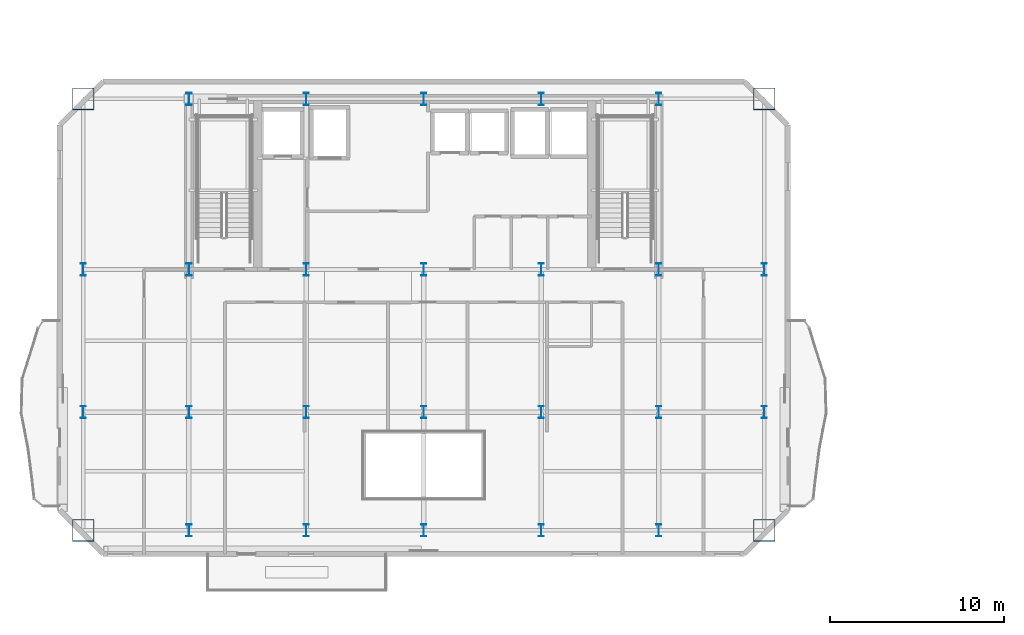
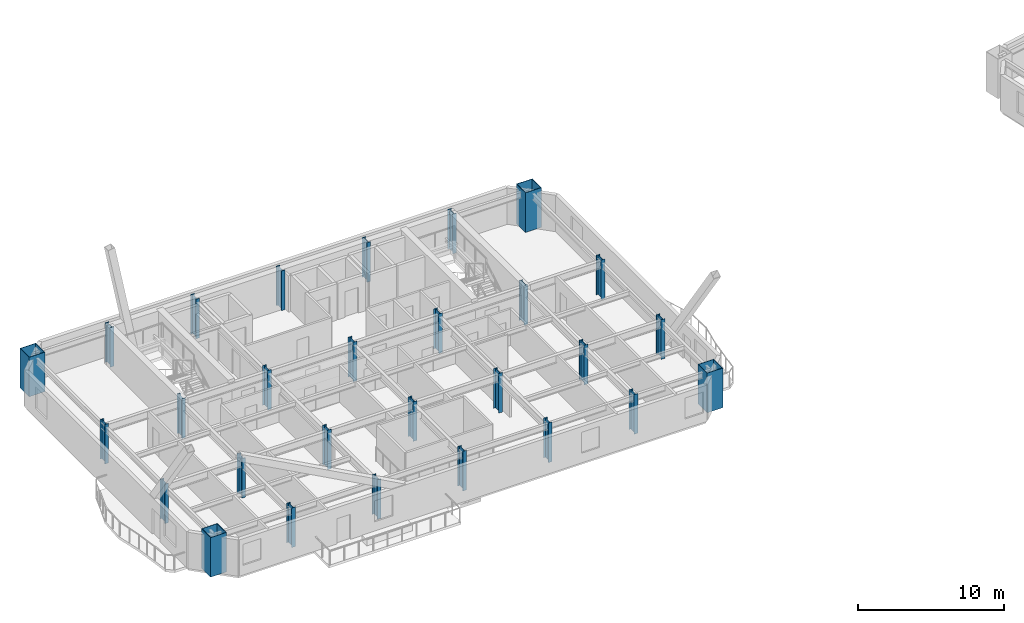
# One storey, part 1 of 13: 28 columns.
"""IFC4 building model written with IfcOpenShell, lengths in metres."""

from ifc_helpers import new_model, si_unit, direction, frame, origin, origin_2d, place, context, subcontext, project, spatial, hollow_rectangle, i_section, extrude, material, material_profile, profile_set, type_object, element, save


model = new_model("IFC4")

# Units and contexts
model_context = context("Model", 3, precision=1e-05, world=origin(), true_north=direction((0.0, 1.0)))
body_context = subcontext(model_context, "Body", "Model", "MODEL_VIEW")
ifc_project = project(units=[si_unit("LENGTHUNIT", "METRE"), si_unit("AREAUNIT", "SQUARE_METRE"), si_unit("VOLUMEUNIT", "CUBIC_METRE"), si_unit("PLANEANGLEUNIT", "RADIAN"), si_unit("MASSUNIT", "GRAM", prefix="KILO")], contexts=[model_context])

# Site, building, storey
site_placement = place(None, origin())
site = spatial("IfcSite", under=ifc_project, at=site_placement, CompositionType="ELEMENT")
building_placement = place(site_placement, origin())
building = spatial("IfcBuilding", under=site, at=building_placement, Name="Haevon Station Towers", CompositionType="ELEMENT")
storey_placement = place(building_placement, frame((0.0, 0.0, 165.89990234375)))
storey = spatial("IfcBuildingStorey", under=building, at=storey_placement, Name="L45", CompositionType="ELEMENT", Elevation=165.89990234375)

# Columns
ifc_material_1 = material(Name="Steel S460", Category="steel")
ifc_material_profile_1 = material_profile(ifc_material_1, hollow_rectangle(XDim=1.25, YDim=1.25, WallThickness=0.034912109375, at=origin_2d()), Name="BOX-1250x1250x35")
ifc_profile_set_1 = profile_set([ifc_material_profile_1], Name="Steel S460")
column_type_1 = type_object("IfcColumnType", Name="COL-MC4", PredefinedType="COLUMN", material=ifc_profile_set_1)
for number, where, z_axis, x_axis, name in (
    (1, (17.925048828125, 23.199951171875, 0.0), (0.0, 0.0, 1.0), (1.0, 0.0, 0.0), "COL-T1-L45-01-01"),
    (2, (17.925048828125, 48.0, 0.0), (0.0, 0.0, 1.0), (1.0, 0.0, 0.0), "COL-T1-L45-01-04"),
    (3, (57.074951171875, 23.199951171875, 0.0), (0.0, 0.0, 1.0), (1.0, 0.0, 0.0), "COL-T1-L45-07-01"),
    (4, (57.074951171875, 48.0, 0.0), (0.0, 0.0, 1.0), (1.0, 0.0, 0.0), "COL-T1-L45-07-04"),
):
    element("IfcColumn", number, at=place(storey_placement, frame(where, z_axis=z_axis, x_axis=x_axis)), inside=storey, type_object=column_type_1, Name=name, PredefinedType="COLUMN", context=body_context, shape_type="SweptSolid", body=[
        extrude(hollow_rectangle(XDim=1.25, YDim=1.25, WallThickness=0.034912109375, at=origin_2d()), origin(), (0.0, 0.0, 1.0), 3.300048828125),
    ])
ifc_material_2 = material(Name="Steel S355", Category="steel")
ifc_material_profile_2 = material_profile(ifc_material_2, i_section(OverallWidth=0.300048828125, OverallDepth=0.699951171875, WebThickness=0.01611328125, FlangeThickness=0.028076171875, at=origin_2d()), Name="H-700x300x16x28")
ifc_profile_set_2 = profile_set([ifc_material_profile_2], Name="Steel S355")
column_type_2 = type_object("IfcColumnType", Name="COL-TW3", PredefinedType="COLUMN", material=ifc_profile_set_2)
for number, where, z_axis, x_axis, name in (
    (5, (17.925048828125, 30.0, 0.0), (0.0, 0.0, 1.0), (1.0, 0.0, 0.0), "COL-T1-L45-01-02"),
    (6, (17.925048828125, 38.199951171875, 0.0), (0.0, 0.0, 1.0), (1.0, 0.0, 0.0), "COL-T1-L45-01-03"),
    (7, (24.0, 23.199951171875, 0.0), (0.0, 0.0, 1.0), (1.0, 0.0, 0.0), "COL-T1-L45-02-01"),
    (8, (24.0, 30.0, 0.0), (0.0, 0.0, 1.0), (1.0, 0.0, 0.0), "COL-T1-L45-02-02"),
    (9, (24.0, 38.199951171875, 0.0), (0.0, 0.0, 1.0), (1.0, 0.0, 0.0), "COL-T1-L45-02-03"),
    (10, (24.0, 48.0, 0.0), (0.0, 0.0, 1.0), (1.0, 0.0, 0.0), "COL-T1-L45-02-04"),
    (11, (30.75, 23.199951171875, 0.0), (0.0, 0.0, 1.0), (1.0, 0.0, 0.0), "COL-T1-L45-03-01"),
    (12, (30.75, 30.0, 0.0), (0.0, 0.0, 1.0), (1.0, 0.0, 0.0), "COL-T1-L45-03-02"),
    (13, (30.75, 38.199951171875, 0.0), (0.0, 0.0, 1.0), (1.0, 0.0, 0.0), "COL-T1-L45-03-03"),
    (14, (30.75, 48.0, 0.0), (0.0, 0.0, 1.0), (1.0, 0.0, 0.0), "COL-T1-L45-03-04"),
    (15, (37.5, 23.199951171875, 0.0), (0.0, 0.0, 1.0), (1.0, 0.0, 0.0), "COL-T1-L45-04-01"),
    (16, (37.5, 30.0, 0.0), (0.0, 0.0, 1.0), (1.0, 0.0, 0.0), "COL-T1-L45-04-02"),
    (17, (37.5, 38.199951171875, 0.0), (0.0, 0.0, 1.0), (1.0, 0.0, 0.0), "COL-T1-L45-04-03"),
    (18, (37.5, 48.0, 0.0), (0.0, 0.0, 1.0), (1.0, 0.0, 0.0), "COL-T1-L45-04-04"),
    (19, (44.25, 23.199951171875, 0.0), (0.0, 0.0, 1.0), (1.0, 0.0, 0.0), "COL-T1-L45-05-01"),
    (20, (44.25, 30.0, 0.0), (0.0, 0.0, 1.0), (1.0, 0.0, 0.0), "COL-T1-L45-05-02"),
    (21, (44.25, 38.199951171875, 0.0), (0.0, 0.0, 1.0), (1.0, 0.0, 0.0), "COL-T1-L45-05-03"),
    (22, (44.25, 48.0, 0.0), (0.0, 0.0, 1.0), (1.0, 0.0, 0.0), "COL-T1-L45-05-04"),
    (23, (51.0, 23.199951171875, 0.0), (0.0, 0.0, 1.0), (1.0, 0.0, 0.0), "COL-T1-L45-06-01"),
    (24, (51.0, 30.0, 0.0), (0.0, 0.0, 1.0), (1.0, 0.0, 0.0), "COL-T1-L45-06-02"),
    (25, (51.0, 38.199951171875, 0.0), (0.0, 0.0, 1.0), (1.0, 0.0, 0.0), "COL-T1-L45-06-03"),
    (26, (51.0, 48.0, 0.0), (0.0, 0.0, 1.0), (1.0, 0.0, 0.0), "COL-T1-L45-06-04"),
    (27, (57.074951171875, 30.0, 0.0), (0.0, 0.0, 1.0), (1.0, 0.0, 0.0), "COL-T1-L45-07-02"),
    (28, (57.074951171875, 38.199951171875, 0.0), (0.0, 0.0, 1.0), (1.0, 0.0, 0.0), "COL-T1-L45-07-03"),
):
    element("IfcColumn", number, at=place(storey_placement, frame(where, z_axis=z_axis, x_axis=x_axis)), inside=storey, type_object=column_type_2, Name=name, PredefinedType="COLUMN", context=body_context, shape_type="SweptSolid", body=[
        extrude(i_section(OverallWidth=0.300048828125, OverallDepth=0.699951171875, WebThickness=0.01611328125, FlangeThickness=0.028076171875, at=origin_2d()), origin(), (0.0, 0.0, 1.0), 3.300048828125),
    ])

save(model, "model.ifc")
